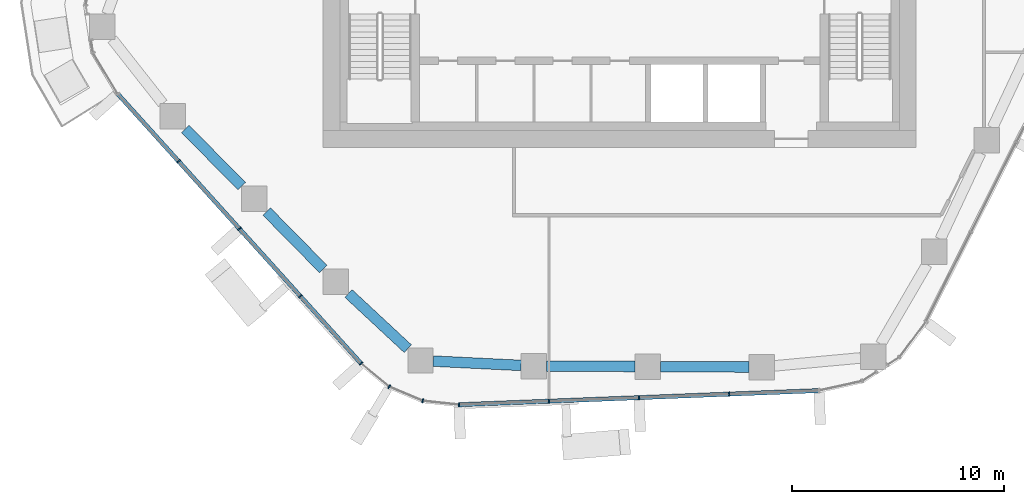
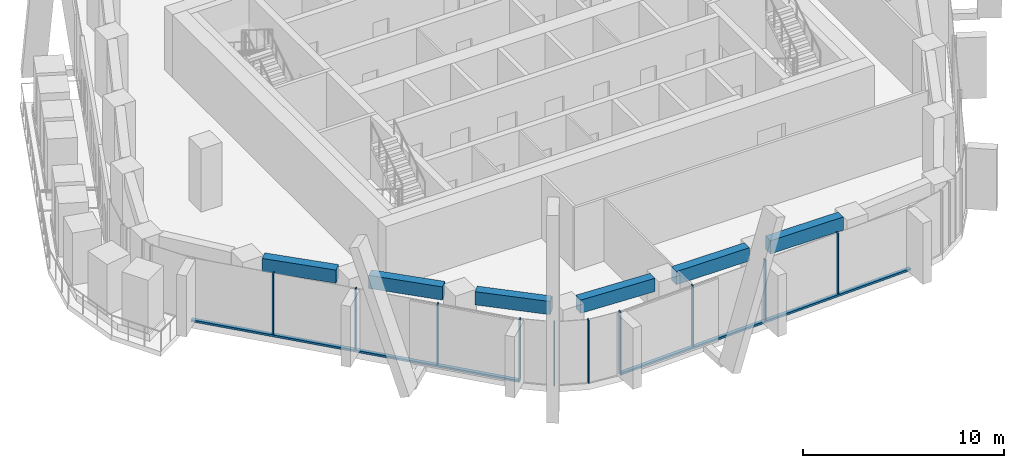
# One storey, part 2 of 19: 12 members, 6 beams, 3 elements without a shape of their own.
"""IFC4 building model written with IfcOpenShell, lengths in metres."""

from ifc_helpers import new_model, si_unit, direction, frame, origin, origin_2d, place, context, subcontext, project, spatial, rectangle, extrude, material, layer, layer_set, material_profile, profile_set, type_object, element, aggregate, save


model = new_model("IFC4")

# Units and contexts
model_context = context("Model", 3, precision=1e-05, world=origin(), true_north=direction((0.0, 1.0)))
body_context = subcontext(model_context, "Body", "Model", "MODEL_VIEW")
ifc_project = project(units=[si_unit("LENGTHUNIT", "METRE"), si_unit("AREAUNIT", "SQUARE_METRE"), si_unit("VOLUMEUNIT", "CUBIC_METRE"), si_unit("PLANEANGLEUNIT", "RADIAN"), si_unit("MASSUNIT", "GRAM", prefix="KILO")], contexts=[model_context])

# Site, building, storey
site_placement = place(None, origin())
site = spatial("IfcSite", under=ifc_project, at=site_placement, CompositionType="ELEMENT")
building_placement = place(site_placement, origin())
building = spatial("IfcBuilding", under=site, at=building_placement, Name="Dongbaek Canopy Tower", CompositionType="ELEMENT")
storey_placement = place(building_placement, frame((0.0, 0.0, 198.800048828125)))
storey = spatial("IfcBuildingStorey", under=building, at=storey_placement, Name="L41", CompositionType="ELEMENT", Elevation=198.800048828125)

# Curtain wall, members
ifc_material_1 = material(Name="Aluminium 6063-T6 pale anodised", Category="aluminium")
ifc_layer = layer(ifc_material_1, 0.199951171875)
ifc_layer_set = layer_set([ifc_layer], Name="CW-1 unitised tower curtain wall")
curtain_wall_type = type_object("IfcCurtainWallType", Name="CW-1 unitised tower curtain wall", PredefinedType="NOTDEFINED", material=ifc_layer_set)
curtain_wall_1_placement = place(storey_placement, origin())
curtain_wall_1 = element("IfcCurtainWall", 1, at=curtain_wall_1_placement, inside=storey, type_object=curtain_wall_type, Name="CW-1 curtain wall F3.1", PredefinedType="NOTDEFINED")
ifc_material_2 = material(Name="Aluminium 6063-T6 pale anodised", Category="aluminium")
ifc_material_profile_1 = material_profile(ifc_material_2, rectangle(XDim=0.199951171875, YDim=0.06005859375, at=origin_2d()), Name="CW-1 mullion 60 x 200")
ifc_profile_set_1 = profile_set([ifc_material_profile_1], Name="Aluminium 6063-T6 pale anodised")
member_type_1 = type_object("IfcMemberType", Name="CW-1 mullion 60 x 200", PredefinedType="MULLION", material=ifc_profile_set_1)
member_1_placement = place(storey_placement, frame((-20.831787109375, -11.656982421875, 0.119873046875), z_axis=(0.0, 0.0, 1.0), x_axis=(-0.742300008663, -0.670067681014, 0.0)))
member_1 = element("IfcMember", 2, at=member_1_placement, type_object=member_type_1, Name="CW-1 mullion F3.1.2", PredefinedType="MULLION", context=body_context, shape_type="SweptSolid", body=[
    extrude(rectangle(XDim=0.199951171875, YDim=0.06005859375, at=origin_2d()), origin(), (0.0, 0.0, 1.0), 3.7001953125),
])
member_2_placement = place(storey_placement, frame((-17.95751953125, -14.8408203125, 0.119873046875), z_axis=(0.0, 0.0, 1.0), x_axis=(-0.742300008663, -0.670067681014, 0.0)))
member_2 = element("IfcMember", 3, at=member_2_placement, type_object=member_type_1, Name="CW-1 mullion F3.1.3", PredefinedType="MULLION", context=body_context, shape_type="SweptSolid", body=[
    extrude(rectangle(XDim=0.199951171875, YDim=0.06005859375, at=origin_2d()), origin(), (0.0, 0.0, 1.0), 3.7001953125),
])
member_3_placement = place(storey_placement, frame((-15.083251953125, -18.02490234375, 0.119873046875), z_axis=(0.0, 0.0, 1.0), x_axis=(-0.742300008663, -0.670067681014, 0.0)))
member_3 = element("IfcMember", 4, at=member_3_placement, type_object=member_type_1, Name="CW-1 mullion F3.1.4", PredefinedType="MULLION", context=body_context, shape_type="SweptSolid", body=[
    extrude(rectangle(XDim=0.199951171875, YDim=0.06005859375, at=origin_2d()), origin(), (0.0, 0.0, 1.0), 3.7001953125),
])
member_4_placement = place(storey_placement, frame((-12.214111328125, -21.203369140625, 0.119873046875), z_axis=(0.0, 0.0, 1.0), x_axis=(-0.742300008663, -0.670067681014, 0.0)))
member_4 = element("IfcMember", 5, at=member_4_placement, type_object=member_type_1, Name="CW-1 mullion F3.1.5", PredefinedType="MULLION", context=body_context, shape_type="SweptSolid", body=[
    extrude(rectangle(XDim=0.199951171875, YDim=0.06005859375, at=origin_2d()), origin(), (0.0, 0.0, 1.0), 3.7001953125),
])

curtain_wall_2_placement = place(storey_placement, origin())
curtain_wall_2 = element("IfcCurtainWall", 6, at=curtain_wall_2_placement, inside=storey, type_object=curtain_wall_type, Name="CW-1 curtain wall K4.1", PredefinedType="NOTDEFINED")
member_5_placement = place(storey_placement, frame((-10.885498046875, -22.301025390625, 0.0), z_axis=(0.0, 0.0, 1.0), x_axis=(-0.518049418717, -0.855350688178, 0.0)))
member_5 = element("IfcMember", 7, at=member_5_placement, type_object=member_type_1, Name="CW-1 mullion K4.1.2", PredefinedType="MULLION", context=body_context, shape_type="SweptSolid", body=[
    extrude(rectangle(XDim=0.199951171875, YDim=0.06005859375, at=origin_2d()), origin(), (0.0, 0.0, 1.0), 3.820068359375),
])
member_6_placement = place(storey_placement, frame((-9.30419921875, -22.967041015625, 0.0), z_axis=(0.0, 0.0, 1.0), x_axis=(-0.249962460962, -0.968255528314, 0.0)))
member_6 = element("IfcMember", 8, at=member_6_placement, type_object=member_type_1, Name="CW-1 mullion K4.1.3", PredefinedType="MULLION", context=body_context, shape_type="SweptSolid", body=[
    extrude(rectangle(XDim=0.199951171875, YDim=0.06005859375, at=origin_2d()), origin(), (0.0, 0.0, 1.0), 3.820068359375),
])
member_7_placement = place(storey_placement, frame((-7.590576171875, -23.150634765625, 0.0), z_axis=(0.0, 0.0, 1.0), x_axis=(-0.106475545413, -0.994315321329, 0.0)))
member_7 = element("IfcMember", 9, at=member_7_placement, type_object=member_type_1, Name="CW-1 mullion K4.1.4", PredefinedType="MULLION", context=body_context, shape_type="SweptSolid", body=[
    extrude(rectangle(XDim=0.199951171875, YDim=0.06005859375, at=origin_2d()), origin(), (0.0, 0.0, 1.0), 3.820068359375),
])
aggregate(curtain_wall_2, [member_5, member_6, member_7])

curtain_wall_3_placement = place(storey_placement, origin())
curtain_wall_3 = element("IfcCurtainWall", 10, at=curtain_wall_3_placement, inside=storey, type_object=curtain_wall_type, Name="CW-1 curtain wall F4.1", PredefinedType="NOTDEFINED")
member_8_placement = place(storey_placement, frame((-3.343505859375, -22.983642578125, 0.119873046875), z_axis=(0.0, 0.0, 1.0), x_axis=(0.039275850271, -0.999228406114, 0.0)))
member_8 = element("IfcMember", 11, at=member_8_placement, type_object=member_type_1, Name="CW-1 mullion F4.1.2", PredefinedType="MULLION", context=body_context, shape_type="SweptSolid", body=[
    extrude(rectangle(XDim=0.199951171875, YDim=0.06005859375, at=origin_2d()), origin(), (0.0, 0.0, 1.0), 3.7001953125),
])
member_9_placement = place(storey_placement, frame((0.91064453125, -22.81640625, 0.119873046875), z_axis=(0.0, 0.0, 1.0), x_axis=(0.039275850271, -0.999228406114, 0.0)))
member_9 = element("IfcMember", 12, at=member_9_placement, type_object=member_type_1, Name="CW-1 mullion F4.1.3", PredefinedType="MULLION", context=body_context, shape_type="SweptSolid", body=[
    extrude(rectangle(XDim=0.199951171875, YDim=0.06005859375, at=origin_2d()), origin(), (0.0, 0.0, 1.0), 3.7001953125),
])
member_10_placement = place(storey_placement, frame((5.1650390625, -22.649169921875, 0.119873046875), z_axis=(0.0, 0.0, 1.0), x_axis=(0.039275850271, -0.999228406114, 0.0)))
member_10 = element("IfcMember", 13, at=member_10_placement, type_object=member_type_1, Name="CW-1 mullion F4.1.4", PredefinedType="MULLION", context=body_context, shape_type="SweptSolid", body=[
    extrude(rectangle(XDim=0.199951171875, YDim=0.06005859375, at=origin_2d()), origin(), (0.0, 0.0, 1.0), 3.7001953125),
])

# Member
ifc_material_3 = material(Name="Aluminium 6063-T6 pale anodised", Category="aluminium")
ifc_material_profile_2 = material_profile(ifc_material_3, rectangle(XDim=0.199951171875, YDim=0.1201171875, at=origin_2d()), Name="CW-1 transom 120 x 200")
ifc_profile_set_2 = profile_set([ifc_material_profile_2], Name="Aluminium 6063-T6 pale anodised")
member_type_2 = type_object("IfcMemberType", Name="CW-1 transom 120 x 200", PredefinedType="USERDEFINED", material=ifc_profile_set_2)
member_11_placement = place(storey_placement, frame((-23.69921875, -8.480224609375, 0.06005859375), z_axis=(0.670068867099, -0.742298937993, 0.0), x_axis=(0.742298937993, 0.670068867099, 0.0)))
member_11 = element("IfcMember", 14, at=member_11_placement, type_object=member_type_2, Name="CW-1 transom F3.1.1", ObjectType="TRANSOM", PredefinedType="USERDEFINED", context=body_context, shape_type="SweptSolid", body=[
    extrude(rectangle(XDim=0.199951171875, YDim=0.1201171875, at=origin_2d()), origin(), (0.0, 0.0, 1.0), 17.14013671875),
])

aggregate(curtain_wall_1, [member_1, member_2, member_3, member_4, member_11])

member_12_placement = place(storey_placement, frame((-7.590576171875, -23.150634765625, 0.06005859375), z_axis=(0.999228476539, 0.039274058537, 0.0), x_axis=(-0.039274058537, 0.999228476539, 0.0)))
member_12 = element("IfcMember", 15, at=member_12_placement, type_object=member_type_2, Name="CW-1 transom F4.1.1", ObjectType="TRANSOM", PredefinedType="USERDEFINED", context=body_context, shape_type="SweptSolid", body=[
    extrude(rectangle(XDim=0.199951171875, YDim=0.1201171875, at=origin_2d()), origin(), (0.0, 0.0, 1.0), 17.01416015625),
])

aggregate(curtain_wall_3, [member_8, member_9, member_10, member_12])

# Beams
ifc_material_4 = material(Name="Concrete C70", Category="concrete")
ifc_material_profile_3 = material_profile(ifc_material_4, rectangle(XDim=0.5, YDim=0.800048828125, at=origin_2d()), Name="RC EDGE BEAM 500x800 C70")
ifc_profile_set_3 = profile_set([ifc_material_profile_3], Name="Concrete C70")
beam_type = type_object("IfcBeamType", Name="RC EDGE BEAM 500x800 C70", PredefinedType="BEAM", material=ifc_profile_set_3)
beam_1_placement = place(storey_placement, frame((6.097900390625, -21.369384765625, 3.419921875), z_axis=(-0.999989872655, 0.004500509685, 0.0), x_axis=(-0.004500509685, -0.999989872655, 0.0)))
element("IfcBeam", 16, at=beam_1_placement, inside=storey, type_object=beam_type, Name="EDGEBEAM:L41:01", PredefinedType="BEAM", context=body_context, shape_type="SweptSolid", body=[
    extrude(rectangle(XDim=0.5, YDim=0.800048828125, at=origin_2d()), origin(), (0.0, 0.0, 1.0), 4.177001953125),
])
beam_2_placement = place(storey_placement, frame((0.720947265625, -21.34521484375, 3.419921875), z_axis=(-0.999990129376, 0.004443101423, 0.0), x_axis=(-0.004443101423, -0.999990129376, 0.0)))
element("IfcBeam", 17, at=beam_2_placement, inside=storey, type_object=beam_type, Name="EDGEBEAM:L41:02", PredefinedType="BEAM", context=body_context, shape_type="SweptSolid", body=[
    extrude(rectangle(XDim=0.5, YDim=0.800048828125, at=origin_2d()), origin(), (0.0, 0.0, 1.0), 4.176025390625),
])
beam_3_placement = place(storey_placement, frame((-4.655029296875, -21.29443359375, 3.419921875), z_axis=(-0.998797460552, 0.04902685789, 0.0), x_axis=(-0.04902685789, -0.998797460552, 0.0)))
element("IfcBeam", 18, at=beam_3_placement, inside=storey, type_object=beam_type, Name="EDGEBEAM:L41:03", PredefinedType="BEAM", context=body_context, shape_type="SweptSolid", body=[
    extrude(rectangle(XDim=0.5, YDim=0.800048828125, at=origin_2d()), origin(), (0.0, 0.0, 1.0), 4.157958984375),
])
beam_4_placement = place(storey_placement, frame((-10.008056640625, -20.5029296875, 3.419921875), z_axis=(-0.732259249265, 0.681025984722, 0.0), x_axis=(-0.681025984722, -0.732259249265, 0.0)))
element("IfcBeam", 19, at=beam_4_placement, inside=storey, type_object=beam_type, Name="EDGEBEAM:L41:04", PredefinedType="BEAM", context=body_context, shape_type="SweptSolid", body=[
    extrude(rectangle(XDim=0.5, YDim=0.800048828125, at=origin_2d()), origin(), (0.0, 0.0, 1.0), 3.826416015625),
])
beam_5_placement = place(storey_placement, frame((-14.0009765625, -16.739013671875, 3.419921875), z_axis=(-0.701688575516, 0.71248378437, 0.0), x_axis=(-0.71248378437, -0.701688575516, 0.0)))
element("IfcBeam", 20, at=beam_5_placement, inside=storey, type_object=beam_type, Name="EDGEBEAM:L41:05", PredefinedType="BEAM", context=body_context, shape_type="SweptSolid", body=[
    extrude(rectangle(XDim=0.5, YDim=0.800048828125, at=origin_2d()), origin(), (0.0, 0.0, 1.0), 3.79931640625),
])
beam_6_placement = place(storey_placement, frame((-17.848876953125, -12.83203125, 3.419921875), z_axis=(-0.701721192392, 0.712451660218, 0.0), x_axis=(-0.712451660218, -0.701721192392, 0.0)))
element("IfcBeam", 21, at=beam_6_placement, inside=storey, type_object=beam_type, Name="EDGEBEAM:L41:06", PredefinedType="BEAM", context=body_context, shape_type="SweptSolid", body=[
    extrude(rectangle(XDim=0.5, YDim=0.800048828125, at=origin_2d()), origin(), (0.0, 0.0, 1.0), 3.799560546875),
])

save(model, "model.ifc")
